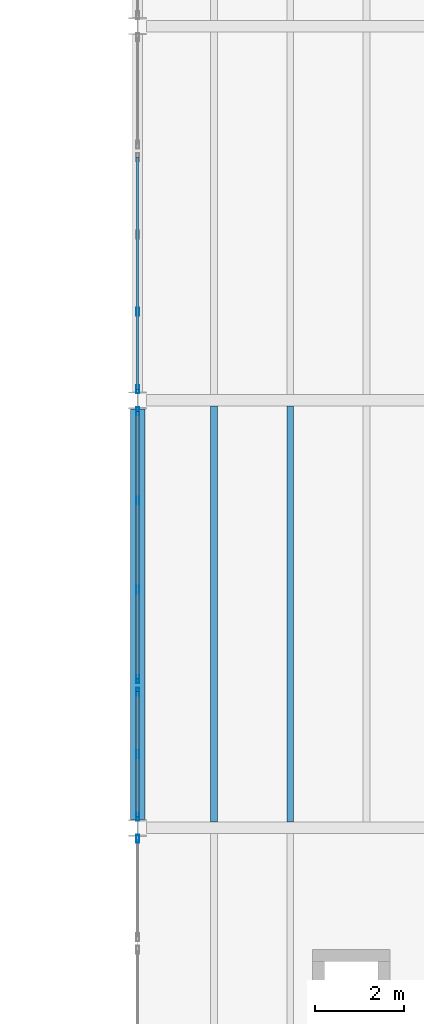
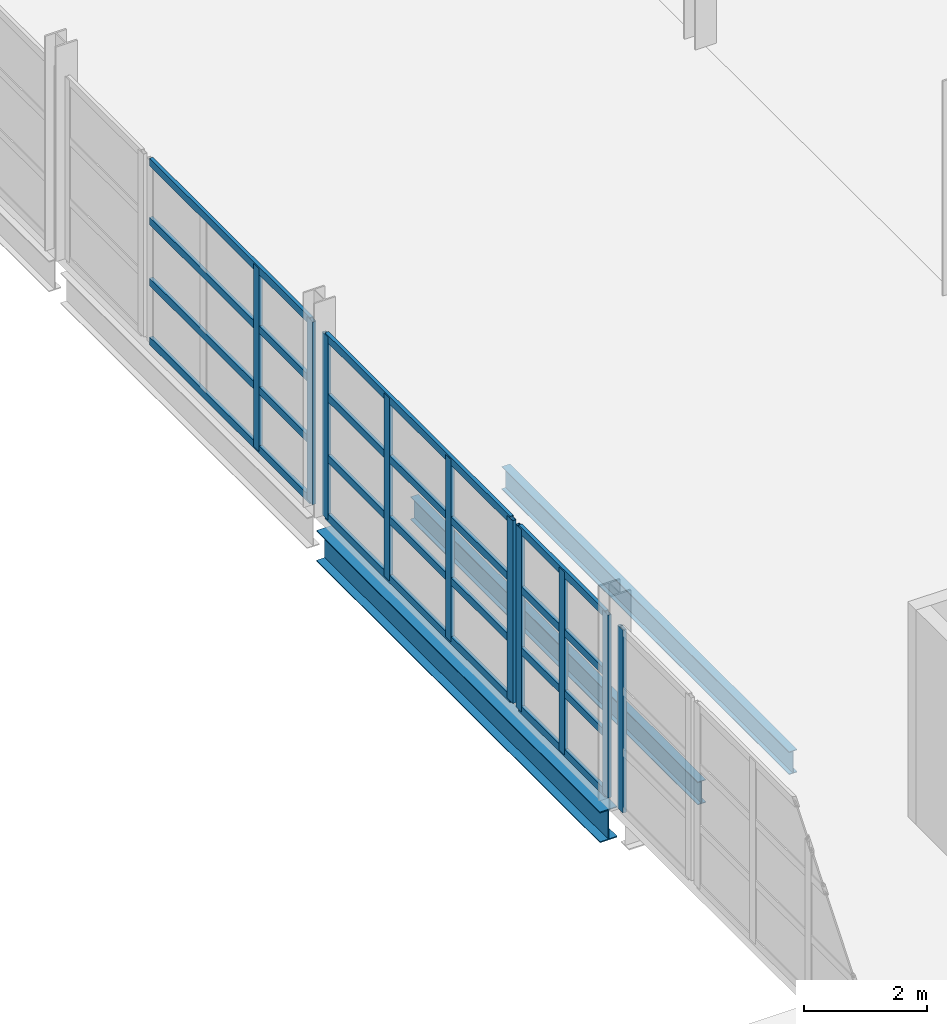
# One storey, part 51 of 114: 22 members, 3 beams, 4 elements without a shape of their own.
"""IFC4 building model written with IfcOpenShell, lengths in metres."""

from ifc_helpers import new_model, si_unit, direction, frame, origin, origin_2d, place, context, subcontext, project, spatial, hollow_rectangle, i_section, extrude, material, material_profile, profile_set, type_object, element, aggregate, save


model = new_model("IFC4")

# Units and contexts
model_context = context("Model", 3, precision=1e-05, world=origin(), true_north=direction((0.0, 1.0)))
body_context = subcontext(model_context, "Body", "Model", "MODEL_VIEW")
ifc_project = project(units=[si_unit("LENGTHUNIT", "METRE"), si_unit("AREAUNIT", "SQUARE_METRE"), si_unit("VOLUMEUNIT", "CUBIC_METRE"), si_unit("PLANEANGLEUNIT", "RADIAN"), si_unit("MASSUNIT", "GRAM", prefix="KILO")], contexts=[model_context])

# Site, building, storey
site_placement = place(None, origin())
site = spatial("IfcSite", under=ifc_project, at=site_placement, CompositionType="ELEMENT")
building_placement = place(site_placement, origin())
building = spatial("IfcBuilding", under=site, at=building_placement, Name="Kelmvaro Bay Concert Hall", CompositionType="ELEMENT")
storey_placement = place(building_placement, frame((0.0, 0.0, 4.800048828125)))
storey = spatial("IfcBuildingStorey", under=building, at=storey_placement, Name="L01", CompositionType="ELEMENT", Elevation=4.800048828125)

# Curtain wall, member
ifc_material_1 = material(Name="Anodised Aluminium and Low-E Insulated Glazing", Category="aluminium")
curtain_wall_type = type_object("IfcCurtainWallType", Name="Mezzanine Concourse Curtain Wall 4100", PredefinedType="USERDEFINED", material=ifc_material_1)
curtain_wall_1_placement = place(storey_placement, origin())
curtain_wall_1 = element("IfcCurtainWall", 1, at=curtain_wall_1_placement, inside=storey, type_object=curtain_wall_type, Name="Unitised Curtain Wall CW-L01-111", ObjectType="UNITISED GLAZING", PredefinedType="USERDEFINED")
ifc_material_2 = material(Name="Anodised Extruded Aluminium 6063-T6", Category="aluminium")
ifc_material_profile_1 = material_profile(ifc_material_2, hollow_rectangle(XDim=0.06494140625, YDim=0.179931640625, WallThickness=0.00390625, at=origin_2d()), Name="ALU-MUL-180X65")
ifc_profile_set_1 = profile_set([ifc_material_profile_1], Name="Anodised Extruded Aluminium 6063-T6")
member_type_1 = type_object("IfcMemberType", Name="Curtain Mullion ALU 180x65", PredefinedType="MULLION", material=ifc_profile_set_1)
member_1_placement = place(storey_placement, frame((108.0, 47.154541015625, 0.0), z_axis=(0.0, 0.0, 1.0), x_axis=(1.0, 0.0, 0.0)))
member_1 = element("IfcMember", 2, at=member_1_placement, type_object=member_type_1, Name="CW-L01-111 Mullion 02", PredefinedType="MULLION", context=body_context, shape_type="SweptSolid", body=[
    extrude(hollow_rectangle(XDim=0.06494140625, YDim=0.179931640625, WallThickness=0.00390625, at=origin_2d()), origin(), (0.0, 0.0, 1.0), 3.6279296875),
])
aggregate(curtain_wall_1, [member_1])

# Curtain wall, members
curtain_wall_2_placement = place(storey_placement, origin())
curtain_wall_2 = element("IfcCurtainWall", 3, at=curtain_wall_2_placement, inside=storey, type_object=curtain_wall_type, Name="Unitised Curtain Wall CW-L01-112", ObjectType="UNITISED GLAZING", PredefinedType="USERDEFINED")
member_2_placement = place(storey_placement, frame((108.0, 47.6455078125, 0.0), z_axis=(0.0, 0.0, 1.0), x_axis=(1.0, 0.0, 0.0)))
member_2 = element("IfcMember", 4, at=member_2_placement, type_object=member_type_1, Name="CW-L01-112 Mullion 01", PredefinedType="MULLION", context=body_context, shape_type="SweptSolid", body=[
    extrude(hollow_rectangle(XDim=0.06494140625, YDim=0.179931640625, WallThickness=0.00390625, at=origin_2d()), origin(), (0.0, 0.0, 1.0), 3.62890625),
])
member_3_placement = place(storey_placement, frame((108.0, 49.052734375, 0.0), z_axis=(0.0, 0.0, 1.0), x_axis=(1.0, 0.0, 0.0)))
member_3 = element("IfcMember", 5, at=member_3_placement, type_object=member_type_1, Name="CW-L01-112 Mullion 02", PredefinedType="MULLION", context=body_context, shape_type="SweptSolid", body=[
    extrude(hollow_rectangle(XDim=0.06494140625, YDim=0.179931640625, WallThickness=0.00390625, at=origin_2d()), origin(), (0.0, 0.0, 1.0), 3.62890625),
])
member_4_placement = place(storey_placement, frame((108.0, 50.4599609375, 0.0), z_axis=(0.0, 0.0, 1.0), x_axis=(1.0, 0.0, 0.0)))
member_4 = element("IfcMember", 6, at=member_4_placement, type_object=member_type_1, Name="CW-L01-112 Mullion 03", PredefinedType="MULLION", context=body_context, shape_type="SweptSolid", body=[
    extrude(hollow_rectangle(XDim=0.06494140625, YDim=0.179931640625, WallThickness=0.00390625, at=origin_2d()), origin(), (0.0, 0.0, 1.0), 3.62890625),
])

curtain_wall_3_placement = place(storey_placement, origin())
curtain_wall_3 = element("IfcCurtainWall", 7, at=curtain_wall_3_placement, inside=storey, type_object=curtain_wall_type, Name="Unitised Curtain Wall CW-L01-115", ObjectType="UNITISED GLAZING", PredefinedType="USERDEFINED")
member_5_placement = place(storey_placement, frame((108.0, 50.739990234375, 0.0), z_axis=(0.0, 0.0, 1.0), x_axis=(1.0, 0.0, 0.0)))
member_5 = element("IfcMember", 8, at=member_5_placement, type_object=member_type_1, Name="CW-L01-115 Mullion 01", PredefinedType="MULLION", context=body_context, shape_type="SweptSolid", body=[
    extrude(hollow_rectangle(XDim=0.06494140625, YDim=0.179931640625, WallThickness=0.00390625, at=origin_2d()), origin(), (0.0, 0.0, 1.0), 3.62890625),
])
member_6_placement = place(storey_placement, frame((108.0, 52.744873046875, 0.0), z_axis=(0.0, 0.0, 1.0), x_axis=(1.0, 0.0, 0.0)))
member_6 = element("IfcMember", 9, at=member_6_placement, type_object=member_type_1, Name="CW-L01-115 Mullion 02", PredefinedType="MULLION", context=body_context, shape_type="SweptSolid", body=[
    extrude(hollow_rectangle(XDim=0.06494140625, YDim=0.179931640625, WallThickness=0.00390625, at=origin_2d()), origin(), (0.0, 0.0, 1.0), 3.62890625),
])
member_7_placement = place(storey_placement, frame((108.0, 54.749755859375, 0.0), z_axis=(0.0, 0.0, 1.0), x_axis=(1.0, 0.0, 0.0)))
member_7 = element("IfcMember", 10, at=member_7_placement, type_object=member_type_1, Name="CW-L01-115 Mullion 03", PredefinedType="MULLION", context=body_context, shape_type="SweptSolid", body=[
    extrude(hollow_rectangle(XDim=0.06494140625, YDim=0.179931640625, WallThickness=0.00390625, at=origin_2d()), origin(), (0.0, 0.0, 1.0), 3.62890625),
])
member_8_placement = place(storey_placement, frame((108.0, 56.75439453125, 0.0), z_axis=(0.0, 0.0, 1.0), x_axis=(1.0, 0.0, 0.0)))
member_8 = element("IfcMember", 11, at=member_8_placement, type_object=member_type_1, Name="CW-L01-115 Mullion 04", PredefinedType="MULLION", context=body_context, shape_type="SweptSolid", body=[
    extrude(hollow_rectangle(XDim=0.06494140625, YDim=0.179931640625, WallThickness=0.00390625, at=origin_2d()), origin(), (0.0, 0.0, 1.0), 3.62890625),
])

curtain_wall_4_placement = place(storey_placement, origin())
curtain_wall_4 = element("IfcCurtainWall", 12, at=curtain_wall_4_placement, inside=storey, type_object=curtain_wall_type, Name="Unitised Curtain Wall CW-L01-117", ObjectType="UNITISED GLAZING", PredefinedType="USERDEFINED")
member_9_placement = place(storey_placement, frame((108.0, 57.24560546875, 0.0), z_axis=(0.0, 0.0, 1.0), x_axis=(1.0, 0.0, 0.0)))
member_9 = element("IfcMember", 13, at=member_9_placement, type_object=member_type_1, Name="CW-L01-117 Mullion 01", PredefinedType="MULLION", context=body_context, shape_type="SweptSolid", body=[
    extrude(hollow_rectangle(XDim=0.06494140625, YDim=0.179931640625, WallThickness=0.00390625, at=origin_2d()), origin(), (0.0, 0.0, 1.0), 3.6279296875),
])
member_10_placement = place(storey_placement, frame((108.0, 58.983642578125, 0.0), z_axis=(0.0, 0.0, 1.0), x_axis=(1.0, 0.0, 0.0)))
member_10 = element("IfcMember", 14, at=member_10_placement, type_object=member_type_1, Name="CW-L01-117 Mullion 02", PredefinedType="MULLION", context=body_context, shape_type="SweptSolid", body=[
    extrude(hollow_rectangle(XDim=0.06494140625, YDim=0.179931640625, WallThickness=0.00390625, at=origin_2d()), origin(), (0.0, 0.0, 1.0), 3.6279296875),
])

# Member
ifc_material_3 = material(Name="Anodised Extruded Aluminium 6063-T6", Category="aluminium")
ifc_material_profile_2 = material_profile(ifc_material_3, hollow_rectangle(XDim=0.06494140625, YDim=0.14990234375, WallThickness=0.00390625, at=origin_2d()), Name="ALU-TRN-150X65")
ifc_profile_set_2 = profile_set([ifc_material_profile_2], Name="Anodised Extruded Aluminium 6063-T6")
member_type_2 = type_object("IfcMemberType", Name="Curtain Transom ALU 150x65", PredefinedType="USERDEFINED", material=ifc_profile_set_2)
member_11_placement = place(storey_placement, frame((108.0, 47.6455078125, 0.0400390625), z_axis=(0.0, 1.0, 0.0), x_axis=(-1.0, 0.0, 0.0)))
member_11 = element("IfcMember", 15, at=member_11_placement, type_object=member_type_2, Name="CW-L01-112 Transom 01", ObjectType="TRANSOM", PredefinedType="USERDEFINED", context=body_context, shape_type="SweptSolid", body=[
    extrude(hollow_rectangle(XDim=0.06494140625, YDim=0.14990234375, WallThickness=0.00390625, at=origin_2d()), origin(), (0.0, 0.0, 1.0), 2.814453125),
])

member_12_placement = place(storey_placement, frame((108.0, 47.6455078125, 1.209716796875), z_axis=(0.0, 1.0, 0.0), x_axis=(-1.0, 0.0, 0.0)))
member_12 = element("IfcMember", 16, at=member_12_placement, type_object=member_type_2, Name="CW-L01-112 Transom 02", ObjectType="TRANSOM", PredefinedType="USERDEFINED", context=body_context, shape_type="SweptSolid", body=[
    extrude(hollow_rectangle(XDim=0.06494140625, YDim=0.14990234375, WallThickness=0.00390625, at=origin_2d()), origin(), (0.0, 0.0, 1.0), 2.814453125),
])

member_13_placement = place(storey_placement, frame((108.0, 47.6455078125, 2.419189453125), z_axis=(0.0, 1.0, 0.0), x_axis=(-1.0, 0.0, 0.0)))
member_13 = element("IfcMember", 17, at=member_13_placement, type_object=member_type_2, Name="CW-L01-112 Transom 03", ObjectType="TRANSOM", PredefinedType="USERDEFINED", context=body_context, shape_type="SweptSolid", body=[
    extrude(hollow_rectangle(XDim=0.06494140625, YDim=0.14990234375, WallThickness=0.00390625, at=origin_2d()), origin(), (0.0, 0.0, 1.0), 2.814453125),
])

member_14_placement = place(storey_placement, frame((108.0, 47.6455078125, 3.5888671875), z_axis=(0.0, 1.0, 0.0), x_axis=(-1.0, 0.0, 0.0)))
member_14 = element("IfcMember", 18, at=member_14_placement, type_object=member_type_2, Name="CW-L01-112 Transom 04", ObjectType="TRANSOM", PredefinedType="USERDEFINED", context=body_context, shape_type="SweptSolid", body=[
    extrude(hollow_rectangle(XDim=0.06494140625, YDim=0.14990234375, WallThickness=0.00390625, at=origin_2d()), origin(), (0.0, 0.0, 1.0), 2.814453125),
])

aggregate(curtain_wall_2, [member_2, member_3, member_4, member_11, member_12, member_13, member_14])

member_15_placement = place(storey_placement, frame((108.0, 50.739990234375, 0.0400390625), z_axis=(0.0, 1.0, 0.0), x_axis=(-1.0, 0.0, 0.0)))
member_15 = element("IfcMember", 19, at=member_15_placement, type_object=member_type_2, Name="CW-L01-115 Transom 01", ObjectType="TRANSOM", PredefinedType="USERDEFINED", context=body_context, shape_type="SweptSolid", body=[
    extrude(hollow_rectangle(XDim=0.06494140625, YDim=0.14990234375, WallThickness=0.00390625, at=origin_2d()), origin(), (0.0, 0.0, 1.0), 6.014404296875),
])

member_16_placement = place(storey_placement, frame((108.0, 50.739990234375, 1.209716796875), z_axis=(0.0, 1.0, 0.0), x_axis=(-1.0, 0.0, 0.0)))
member_16 = element("IfcMember", 20, at=member_16_placement, type_object=member_type_2, Name="CW-L01-115 Transom 02", ObjectType="TRANSOM", PredefinedType="USERDEFINED", context=body_context, shape_type="SweptSolid", body=[
    extrude(hollow_rectangle(XDim=0.06494140625, YDim=0.14990234375, WallThickness=0.00390625, at=origin_2d()), origin(), (0.0, 0.0, 1.0), 6.014404296875),
])

member_17_placement = place(storey_placement, frame((108.0, 50.739990234375, 2.419189453125), z_axis=(0.0, 1.0, 0.0), x_axis=(-1.0, 0.0, 0.0)))
member_17 = element("IfcMember", 21, at=member_17_placement, type_object=member_type_2, Name="CW-L01-115 Transom 03", ObjectType="TRANSOM", PredefinedType="USERDEFINED", context=body_context, shape_type="SweptSolid", body=[
    extrude(hollow_rectangle(XDim=0.06494140625, YDim=0.14990234375, WallThickness=0.00390625, at=origin_2d()), origin(), (0.0, 0.0, 1.0), 6.014404296875),
])

member_18_placement = place(storey_placement, frame((108.0, 50.739990234375, 3.5888671875), z_axis=(0.0, 1.0, 0.0), x_axis=(-1.0, 0.0, 0.0)))
member_18 = element("IfcMember", 22, at=member_18_placement, type_object=member_type_2, Name="CW-L01-115 Transom 04", ObjectType="TRANSOM", PredefinedType="USERDEFINED", context=body_context, shape_type="SweptSolid", body=[
    extrude(hollow_rectangle(XDim=0.06494140625, YDim=0.14990234375, WallThickness=0.00390625, at=origin_2d()), origin(), (0.0, 0.0, 1.0), 6.014404296875),
])

aggregate(curtain_wall_3, [member_5, member_6, member_7, member_8, member_15, member_16, member_17, member_18])

member_19_placement = place(storey_placement, frame((108.0, 57.24560546875, 0.0400390625), z_axis=(0.0, 1.0, 0.0), x_axis=(-1.0, 0.0, 0.0)))
member_19 = element("IfcMember", 23, at=member_19_placement, type_object=member_type_2, Name="CW-L01-117 Transom 01", ObjectType="TRANSOM", PredefinedType="USERDEFINED", context=body_context, shape_type="SweptSolid", body=[
    extrude(hollow_rectangle(XDim=0.06494140625, YDim=0.14990234375, WallThickness=0.00390625, at=origin_2d()), origin(), (0.0, 0.0, 1.0), 5.21435546875),
])

member_20_placement = place(storey_placement, frame((108.0, 57.24560546875, 1.209228515625), z_axis=(0.0, 1.0, 0.0), x_axis=(-1.0, 0.0, 0.0)))
member_20 = element("IfcMember", 24, at=member_20_placement, type_object=member_type_2, Name="CW-L01-117 Transom 02", ObjectType="TRANSOM", PredefinedType="USERDEFINED", context=body_context, shape_type="SweptSolid", body=[
    extrude(hollow_rectangle(XDim=0.06494140625, YDim=0.14990234375, WallThickness=0.00390625, at=origin_2d()), origin(), (0.0, 0.0, 1.0), 5.21435546875),
])

member_21_placement = place(storey_placement, frame((108.0, 57.24560546875, 2.418701171875), z_axis=(0.0, 1.0, 0.0), x_axis=(-1.0, 0.0, 0.0)))
member_21 = element("IfcMember", 25, at=member_21_placement, type_object=member_type_2, Name="CW-L01-117 Transom 03", ObjectType="TRANSOM", PredefinedType="USERDEFINED", context=body_context, shape_type="SweptSolid", body=[
    extrude(hollow_rectangle(XDim=0.06494140625, YDim=0.14990234375, WallThickness=0.00390625, at=origin_2d()), origin(), (0.0, 0.0, 1.0), 5.21435546875),
])

member_22_placement = place(storey_placement, frame((108.0, 57.24560546875, 3.587890625), z_axis=(0.0, 1.0, 0.0), x_axis=(-1.0, 0.0, 0.0)))
member_22 = element("IfcMember", 26, at=member_22_placement, type_object=member_type_2, Name="CW-L01-117 Transom 04", ObjectType="TRANSOM", PredefinedType="USERDEFINED", context=body_context, shape_type="SweptSolid", body=[
    extrude(hollow_rectangle(XDim=0.06494140625, YDim=0.14990234375, WallThickness=0.00390625, at=origin_2d()), origin(), (0.0, 0.0, 1.0), 5.21435546875),
])

aggregate(curtain_wall_4, [member_9, member_10, member_19, member_20, member_21, member_22])

# Beams
ifc_material_4 = material(Name="Steel ASTM A992 Grade 50", Category="steel")
ifc_material_profile_3 = material_profile(ifc_material_4, i_section(OverallWidth=0.152099609375, OverallDepth=0.455078125, WebThickness=0.008056640625, FlangeThickness=0.01318359375, at=origin_2d()), Name="W18X40")
ifc_profile_set_3 = profile_set([ifc_material_profile_3], Name="Steel ASTM A992 Grade 50")
beam_type_1 = type_object("IfcBeamType", Name="Foyer Concourse Floor Joist W18x40", PredefinedType="JOIST", material=ifc_profile_set_3)
for number, where, z_axis, x_axis, name in (
    (27, (109.71435546875, 47.528076171875, -0.4775390625), (0.0, 1.0, 0.0), (-1.0, 0.0, 0.0), "L01 Floor Joist JST-L01-0490"),
    (28, (111.4287109375, 47.528076171875, -0.4775390625), (0.0, 1.0, 0.0), (-1.0, 0.0, 0.0), "L01 Floor Joist JST-L01-0491"),
):
    element("IfcBeam", number, at=place(storey_placement, frame(where, z_axis=z_axis, x_axis=x_axis)), inside=storey, type_object=beam_type_1, Name=name, PredefinedType="JOIST", context=body_context, shape_type="SweptSolid", body=[
        extrude(i_section(OverallWidth=0.152099609375, OverallDepth=0.455078125, WebThickness=0.008056640625, FlangeThickness=0.01318359375, at=origin_2d()), origin(), (0.0, 0.0, 1.0), 9.343994140625),
    ])
ifc_material_5 = material(Name="Steel ASTM A992 Grade 50", Category="steel")
ifc_material_profile_4 = material_profile(ifc_material_5, i_section(OverallWidth=0.323974609375, OverallDepth=0.611083984375, WebThickness=0.0126953125, FlangeThickness=0.01904296875, at=origin_2d()), Name="W24X104")
ifc_profile_set_4 = profile_set([ifc_material_profile_4], Name="Steel ASTM A992 Grade 50")
beam_type_2 = type_object("IfcBeamType", Name="Foyer Frame Girder W24x104", PredefinedType="BEAM", material=ifc_profile_set_4)
beam_placement = place(storey_placement, frame((108.0, 47.590576171875, -0.5556640625), z_axis=(0.0, 1.0, 0.0), x_axis=(-1.0, 0.0, 0.0)))
element("IfcBeam", 29, at=beam_placement, inside=storey, type_object=beam_type_2, Name="L01 Girder BM-L01-NS-0179", PredefinedType="BEAM", context=body_context, shape_type="SweptSolid", body=[
    extrude(i_section(OverallWidth=0.323974609375, OverallDepth=0.611083984375, WebThickness=0.0126953125, FlangeThickness=0.01904296875, at=origin_2d()), origin(), (0.0, 0.0, 1.0), 9.218994140625),
])

save(model, "model.ifc")
